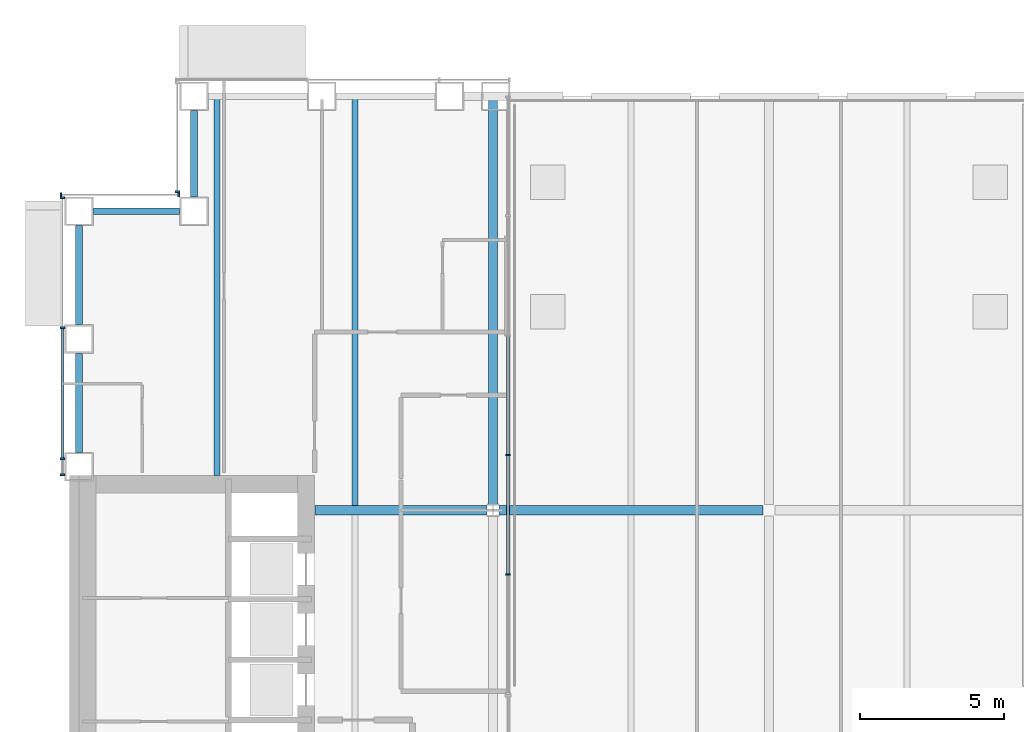
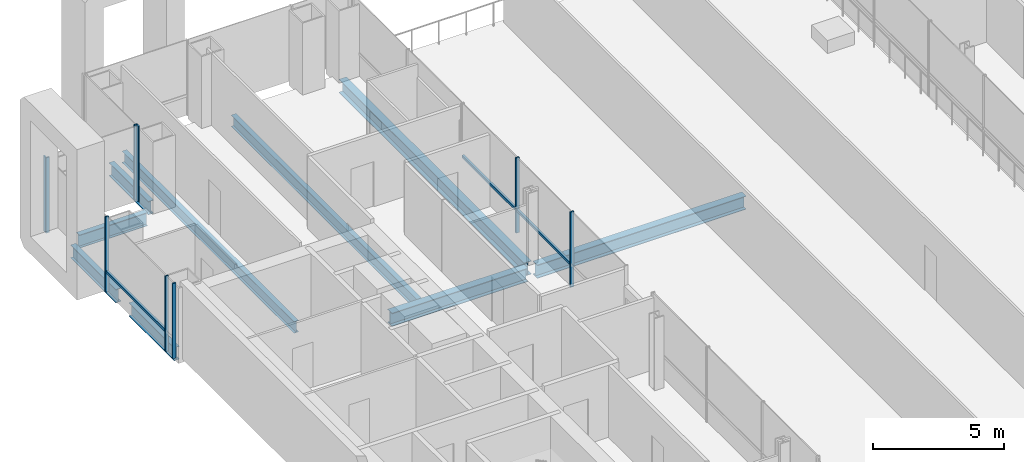
# One storey, part 7 of 24: 12 members, 9 beams, 4 elements without a shape of their own.
"""IFC4 building model written with IfcOpenShell, lengths in metres."""

from ifc_helpers import new_model, si_unit, direction, frame, origin, origin_2d, place, context, subcontext, project, spatial, rectangle, i_section, extrude, material, material_profile, profile_set, type_object, element, aggregate, save


model = new_model("IFC4")

# Units and contexts
model_context = context("Model", 3, precision=1e-05, world=origin(), true_north=direction((0.0, 1.0)))
body_context = subcontext(model_context, "Body", "Model", "MODEL_VIEW")
ifc_project = project(units=[si_unit("LENGTHUNIT", "METRE"), si_unit("AREAUNIT", "SQUARE_METRE"), si_unit("VOLUMEUNIT", "CUBIC_METRE"), si_unit("PLANEANGLEUNIT", "RADIAN"), si_unit("MASSUNIT", "GRAM", prefix="KILO")], contexts=[model_context])

# Site, building, storey
site_placement = place(None, origin())
site = spatial("IfcSite", under=ifc_project, at=site_placement, CompositionType="ELEMENT")
building_placement = place(site_placement, origin())
building = spatial("IfcBuilding", under=site, at=building_placement, Name="Cobrizo Arcos Hotel Tower", CompositionType="ELEMENT")
storey_placement = place(building_placement, frame((0.0, 0.0, 60.0)))
storey = spatial("IfcBuildingStorey", under=building, at=storey_placement, Name="L13", CompositionType="ELEMENT", Elevation=60.0)

# Curtain wall, member
ifc_material_1 = material(Name="Aluminium 6063-T6 anodised bronze", Category="aluminium")
curtain_wall_type_1 = type_object("IfcCurtainWallType", Name="CW-A guest facade", PredefinedType="NOTDEFINED", material=ifc_material_1)
curtain_wall_1_placement = place(storey_placement, origin())
curtain_wall_1 = element("IfcCurtainWall", 1, at=curtain_wall_1_placement, inside=storey, type_object=curtain_wall_type_1, Name="CW-A L13 W face", PredefinedType="NOTDEFINED")
ifc_material_profile_1 = material_profile(ifc_material_1, rectangle(XDim=0.14990234375, YDim=0.06005859375, at=origin_2d()), Name="CW-A mullion 150x60")
ifc_profile_set_1 = profile_set([ifc_material_profile_1], Name="Aluminium 6063-T6 anodised bronze")
member_type_1 = type_object("IfcMemberType", Name="CW-A mullion 150x60", PredefinedType="MULLION", material=ifc_profile_set_1)
member_1_placement = place(storey_placement, frame((-20.574951171875, 20.679931640625, 0.0), z_axis=(0.0, 0.0, 1.0), x_axis=(-1.0, 0.0, 0.0)))
member_1 = element("IfcMember", 2, at=member_1_placement, type_object=member_type_1, Name="CW-A mullion 2", PredefinedType="MULLION", context=body_context, shape_type="SweptSolid", body=[
    extrude(rectangle(XDim=0.14990234375, YDim=0.06005859375, at=origin_2d()), origin(), (0.0, 0.0, 1.0), 3.5),
])
aggregate(curtain_wall_1, [member_1])

# Curtain wall, members
curtain_wall_2_placement = place(storey_placement, origin())
curtain_wall_2 = element("IfcCurtainWall", 3, at=curtain_wall_2_placement, inside=storey, type_object=curtain_wall_type_1, Name="CW-A L13 N face", PredefinedType="NOTDEFINED")
member_2_placement = place(storey_placement, frame((-20.530029296875, 20.574951171875, 0.0), z_axis=(0.0, 0.0, 1.0), x_axis=(0.0, 1.0, 0.0)))
member_2 = element("IfcMember", 4, at=member_2_placement, type_object=member_type_1, Name="CW-A mullion 1", PredefinedType="MULLION", context=body_context, shape_type="SweptSolid", body=[
    extrude(rectangle(XDim=0.14990234375, YDim=0.06005859375, at=origin_2d()), origin(), (0.0, 0.0, 1.0), 3.5),
])
member_3_placement = place(storey_placement, frame((-24.6201171875, 20.574951171875, 0.0), z_axis=(0.0, 0.0, 1.0), x_axis=(0.0, 1.0, 0.0)))
member_3 = element("IfcMember", 5, at=member_3_placement, type_object=member_type_1, Name="CW-A mullion 2", PredefinedType="MULLION", context=body_context, shape_type="SweptSolid", body=[
    extrude(rectangle(XDim=0.14990234375, YDim=0.06005859375, at=origin_2d()), origin(), (0.0, 0.0, 1.0), 3.5),
])
aggregate(curtain_wall_2, [member_2, member_3])

curtain_wall_3_placement = place(storey_placement, origin())
curtain_wall_3 = element("IfcCurtainWall", 6, at=curtain_wall_3_placement, inside=storey, type_object=curtain_wall_type_1, Name="CW-A L13 W face", PredefinedType="NOTDEFINED")
member_4_placement = place(storey_placement, frame((-24.574951171875, 20.469970703125, 0.0), z_axis=(0.0, 0.0, 1.0), x_axis=(-1.0, 0.0, 0.0)))
member_4 = element("IfcMember", 7, at=member_4_placement, type_object=member_type_1, Name="CW-A mullion 1", PredefinedType="MULLION", context=body_context, shape_type="SweptSolid", body=[
    extrude(rectangle(XDim=0.14990234375, YDim=0.06005859375, at=origin_2d()), origin(), (0.0, 0.0, 1.0), 3.5),
])
member_5_placement = place(storey_placement, frame((-24.574951171875, 15.9443359375, 0.0), z_axis=(0.0, 0.0, 1.0), x_axis=(-1.0, 0.0, 0.0)))
member_5 = element("IfcMember", 8, at=member_5_placement, type_object=member_type_1, Name="CW-A mullion 2", PredefinedType="MULLION", context=body_context, shape_type="SweptSolid", body=[
    extrude(rectangle(XDim=0.14990234375, YDim=0.06005859375, at=origin_2d()), origin(), (0.0, 0.0, 1.0), 3.5),
])
member_6_placement = place(storey_placement, frame((-24.574951171875, 11.388916015625, 0.0), z_axis=(0.0, 0.0, 1.0), x_axis=(-1.0, 0.0, 0.0)))
member_6 = element("IfcMember", 9, at=member_6_placement, type_object=member_type_1, Name="CW-A mullion 3", PredefinedType="MULLION", context=body_context, shape_type="SweptSolid", body=[
    extrude(rectangle(XDim=0.14990234375, YDim=0.06005859375, at=origin_2d()), origin(), (0.0, 0.0, 1.0), 3.5),
])
member_7_placement = place(storey_placement, frame((-24.574951171875, 10.830078125, 0.0), z_axis=(0.0, 0.0, 1.0), x_axis=(-1.0, 0.0, 0.0)))
member_7 = element("IfcMember", 10, at=member_7_placement, type_object=member_type_1, Name="CW-A mullion 4", PredefinedType="MULLION", context=body_context, shape_type="SweptSolid", body=[
    extrude(rectangle(XDim=0.14990234375, YDim=0.06005859375, at=origin_2d()), origin(), (0.0, 0.0, 1.0), 3.5),
])
ifc_material_profile_2 = material_profile(ifc_material_1, rectangle(XDim=0.10009765625, YDim=0.1201171875, at=origin_2d()), Name="CW-A transom 120x100")
ifc_profile_set_2 = profile_set([ifc_material_profile_2], Name="Aluminium 6063-T6 anodised bronze")
member_type_2 = type_object("IfcMemberType", Name="CW-A transom 120x100", PredefinedType="USERDEFINED", material=ifc_profile_set_2)
member_8_placement = place(storey_placement, frame((-24.574951171875, 15.91455078125, 0.929931640625), z_axis=(0.0, -1.0, 0.0), x_axis=(1.0, 0.0, 0.0)))
member_8 = element("IfcMember", 11, at=member_8_placement, type_object=member_type_2, Name="CW-A transom 614", ObjectType="TRANSOM", PredefinedType="USERDEFINED", context=body_context, shape_type="SweptSolid", body=[
    extrude(rectangle(XDim=0.10009765625, YDim=0.1201171875, at=origin_2d()), origin(), (0.0, 0.0, 1.0), 4.49560546875),
])
aggregate(curtain_wall_3, [member_4, member_5, member_6, member_7, member_8])

curtain_wall_type_2 = type_object("IfcCurtainWallType", Name="CW-F void screen", PredefinedType="NOTDEFINED", material=ifc_material_1)
curtain_wall_4_placement = place(storey_placement, origin())
curtain_wall_4 = element("IfcCurtainWall", 12, at=curtain_wall_4_placement, inside=storey, type_object=curtain_wall_type_2, Name="CW-F L13 void screen A", PredefinedType="NOTDEFINED")
ifc_material_profile_3 = material_profile(ifc_material_1, rectangle(XDim=0.14990234375, YDim=0.06005859375, at=origin_2d()), Name="CW-F mullion 150x60")
ifc_profile_set_3 = profile_set([ifc_material_profile_3], Name="Aluminium 6063-T6 anodised bronze")
member_type_3 = type_object("IfcMemberType", Name="CW-F mullion 150x60", PredefinedType="MULLION", material=ifc_profile_set_3)
member_9_placement = place(storey_placement, frame((-9.074951171875, 11.52001953125, 0.0), z_axis=(0.0, 0.0, 1.0), x_axis=(-1.0, 0.0, 0.0)))
member_9 = element("IfcMember", 13, at=member_9_placement, type_object=member_type_3, Name="CW-F mullion 4", PredefinedType="MULLION", context=body_context, shape_type="SweptSolid", body=[
    extrude(rectangle(XDim=0.14990234375, YDim=0.06005859375, at=origin_2d()), origin(), (0.0, 0.0, 1.0), 3.5),
])
member_10_placement = place(storey_placement, frame((-9.074951171875, 7.360107421875, 0.0), z_axis=(0.0, 0.0, 1.0), x_axis=(-1.0, 0.0, 0.0)))
member_10 = element("IfcMember", 14, at=member_10_placement, type_object=member_type_3, Name="CW-F mullion 5", PredefinedType="MULLION", context=body_context, shape_type="SweptSolid", body=[
    extrude(rectangle(XDim=0.14990234375, YDim=0.06005859375, at=origin_2d()), origin(), (0.0, 0.0, 1.0), 3.5),
])
ifc_material_profile_4 = material_profile(ifc_material_1, rectangle(XDim=0.10009765625, YDim=0.1201171875, at=origin_2d()), Name="CW-F transom 120x100")
ifc_profile_set_4 = profile_set([ifc_material_profile_4], Name="Aluminium 6063-T6 anodised bronze")
member_type_4 = type_object("IfcMemberType", Name="CW-F transom 120x100", PredefinedType="USERDEFINED", material=ifc_profile_set_4)
member_11_placement = place(storey_placement, frame((-9.074951171875, 15.64990234375, 1.050048828125), z_axis=(0.0, -1.0, 0.0), x_axis=(1.0, 0.0, 0.0)))
member_11 = element("IfcMember", 15, at=member_11_placement, type_object=member_type_4, Name="CW-F transom 2439", ObjectType="TRANSOM", PredefinedType="USERDEFINED", context=body_context, shape_type="SweptSolid", body=[
    extrude(rectangle(XDim=0.10009765625, YDim=0.1201171875, at=origin_2d()), origin(), (0.0, 0.0, 1.0), 4.099853515625),
])
member_12_placement = place(storey_placement, frame((-9.074951171875, 11.489990234375, 1.050048828125), z_axis=(0.0, -1.0, 0.0), x_axis=(1.0, 0.0, 0.0)))
member_12 = element("IfcMember", 16, at=member_12_placement, type_object=member_type_4, Name="CW-F transom 2440", ObjectType="TRANSOM", PredefinedType="USERDEFINED", context=body_context, shape_type="SweptSolid", body=[
    extrude(rectangle(XDim=0.10009765625, YDim=0.1201171875, at=origin_2d()), origin(), (0.0, 0.0, 1.0), 4.10009765625),
])
aggregate(curtain_wall_4, [member_9, member_10, member_11, member_12])

# Beams
ifc_material_2 = material(Name="Steel ASTM A992 Grade 50", Category="steel")
ifc_material_profile_5 = material_profile(ifc_material_2, i_section(OverallWidth=0.209228515625, OverallDepth=0.533447265625, WebThickness=0.01025390625, FlangeThickness=0.015625, at=origin_2d()), Name="W21X62")
ifc_profile_set_5 = profile_set([ifc_material_profile_5], Name="Steel ASTM A992 Grade 50")
beam_type_1 = type_object("IfcBeamType", Name="W21X62 joist", PredefinedType="JOIST", material=ifc_profile_set_5)
beam_1_placement = place(storey_placement, frame((-19.199951171875, 10.81005859375, -0.416748046875), z_axis=(0.0, 1.0, 0.0), x_axis=(-1.0, 0.0, 0.0)))
element("IfcBeam", 17, at=beam_1_placement, inside=storey, type_object=beam_type_1, Name="Floor joist J1, L13, no. 002", PredefinedType="JOIST", context=body_context, shape_type="SweptSolid", body=[
    extrude(i_section(OverallWidth=0.209228515625, OverallDepth=0.533447265625, WebThickness=0.01025390625, FlangeThickness=0.015625, at=origin_2d()), origin(), (0.0, 0.0, 1.0), 13.099853515625),
])
beam_2_placement = place(storey_placement, frame((-14.39990234375, 9.763916015625, -0.416748046875), z_axis=(0.0, 1.0, 0.0), x_axis=(-1.0, 0.0, 0.0)))
element("IfcBeam", 18, at=beam_2_placement, inside=storey, type_object=beam_type_1, Name="Floor joist J1, L13, no. 006", PredefinedType="JOIST", context=body_context, shape_type="SweptSolid", body=[
    extrude(i_section(OverallWidth=0.209228515625, OverallDepth=0.533447265625, WebThickness=0.01025390625, FlangeThickness=0.015625, at=origin_2d()), origin(), (0.0, 0.0, 1.0), 14.14599609375),
])
ifc_material_profile_6 = material_profile(ifc_material_2, i_section(OverallWidth=0.32763671875, OverallDepth=0.622314453125, WebThickness=0.015380859375, FlangeThickness=0.0244140625, at=origin_2d()), Name="W24X131")
ifc_profile_set_6 = profile_set([ifc_material_profile_6], Name="Steel ASTM A992 Grade 50")
beam_type_2 = type_object("IfcBeamType", Name="W24X131 girder", PredefinedType="BEAM", material=ifc_profile_set_6)
beam_3_placement = place(storey_placement, frame((-15.7900390625, 9.60009765625, -0.461181640625), z_axis=(1.0, 0.0, 0.0), x_axis=(0.0, 1.0, 0.0)))
element("IfcBeam", 19, at=beam_3_placement, inside=storey, type_object=beam_type_2, Name="Floor girder G1, L13, no. 009", PredefinedType="BEAM", context=body_context, shape_type="SweptSolid", body=[
    extrude(i_section(OverallWidth=0.32763671875, OverallDepth=0.622314453125, WebThickness=0.015380859375, FlangeThickness=0.0244140625, at=origin_2d()), origin(), (0.0, 0.0, 1.0), 5.985595703125),
])
beam_4_placement = place(storey_placement, frame((-9.3955078125, 9.60009765625, -0.461181640625), z_axis=(1.0, 0.0, 0.0), x_axis=(0.0, 1.0, 0.0)))
element("IfcBeam", 20, at=beam_4_placement, inside=storey, type_object=beam_type_2, Name="Floor girder G1, L13, no. 010", PredefinedType="BEAM", context=body_context, shape_type="SweptSolid", body=[
    extrude(i_section(OverallWidth=0.32763671875, OverallDepth=0.622314453125, WebThickness=0.015380859375, FlangeThickness=0.0244140625, at=origin_2d()), origin(), (0.0, 0.0, 1.0), 9.191162109375),
])
beam_5_placement = place(storey_placement, frame((-9.60009765625, 9.804443359375, -0.461181640625), z_axis=(0.0, 1.0, 0.0), x_axis=(-1.0, 0.0, 0.0)))
element("IfcBeam", 21, at=beam_5_placement, inside=storey, type_object=beam_type_2, Name="Floor girder G1, L13, no. 016", PredefinedType="BEAM", context=body_context, shape_type="SweptSolid", body=[
    extrude(i_section(OverallWidth=0.32763671875, OverallDepth=0.622314453125, WebThickness=0.015380859375, FlangeThickness=0.0244140625, at=origin_2d()), origin(), (0.0, 0.0, 1.0), 14.10546875),
])
ifc_material_profile_7 = material_profile(ifc_material_2, i_section(OverallWidth=0.23046875, OverallDepth=0.6171875, WebThickness=0.01318359375, FlangeThickness=0.022216796875, at=origin_2d()), Name="W24X94")
ifc_profile_set_7 = profile_set([ifc_material_profile_7], Name="Steel ASTM A992 Grade 50")
beam_type_3 = type_object("IfcBeamType", Name="W24X94 spandrel", PredefinedType="SPANDREL", material=ifc_profile_set_7)
for number, where, z_axis, x_axis, name in (
    (22, (-20.0, 23.5, -0.45849609375), (0.0, -1.0, 0.0), (1.0, 0.0, 0.0), "Spandrel beam W24X94, L13, no. 023"),
    (23, (-20.5, 20.0, -0.45849609375), (-1.0, 0.0, 0.0), (0.0, -1.0, 0.0), "Spandrel beam W24X94, L13, no. 024"),
):
    element("IfcBeam", number, at=place(storey_placement, frame(where, z_axis=z_axis, x_axis=x_axis)), inside=storey, type_object=beam_type_3, Name=name, PredefinedType="SPANDREL", context=body_context, shape_type="SweptSolid", body=[
        extrude(i_section(OverallWidth=0.23046875, OverallDepth=0.6171875, WebThickness=0.01318359375, FlangeThickness=0.022216796875, at=origin_2d()), origin(), (0.0, 0.0, 1.0), 3.0),
    ])
beam_6_placement = place(storey_placement, frame((-24.0, 19.5, -0.45849609375), z_axis=(0.0, -1.0, 0.0), x_axis=(1.0, 0.0, 0.0)))
element("IfcBeam", 24, at=beam_6_placement, inside=storey, type_object=beam_type_3, Name="Spandrel beam W24X94, L13, no. 025", PredefinedType="SPANDREL", context=body_context, shape_type="SweptSolid", body=[
    extrude(i_section(OverallWidth=0.23046875, OverallDepth=0.6171875, WebThickness=0.01318359375, FlangeThickness=0.022216796875, at=origin_2d()), origin(), (0.0, 0.0, 1.0), 3.444091796875),
])
beam_7_placement = place(storey_placement, frame((-24.0, 15.055908203125, -0.45849609375), z_axis=(0.0, -1.0, 0.0), x_axis=(1.0, 0.0, 0.0)))
element("IfcBeam", 25, at=beam_7_placement, inside=storey, type_object=beam_type_3, Name="Spandrel beam W24X94, L13, no. 026", PredefinedType="SPANDREL", context=body_context, shape_type="SweptSolid", body=[
    extrude(i_section(OverallWidth=0.23046875, OverallDepth=0.6171875, WebThickness=0.01318359375, FlangeThickness=0.022216796875, at=origin_2d()), origin(), (0.0, 0.0, 1.0), 3.44482421875),
])

save(model, "model.ifc")
